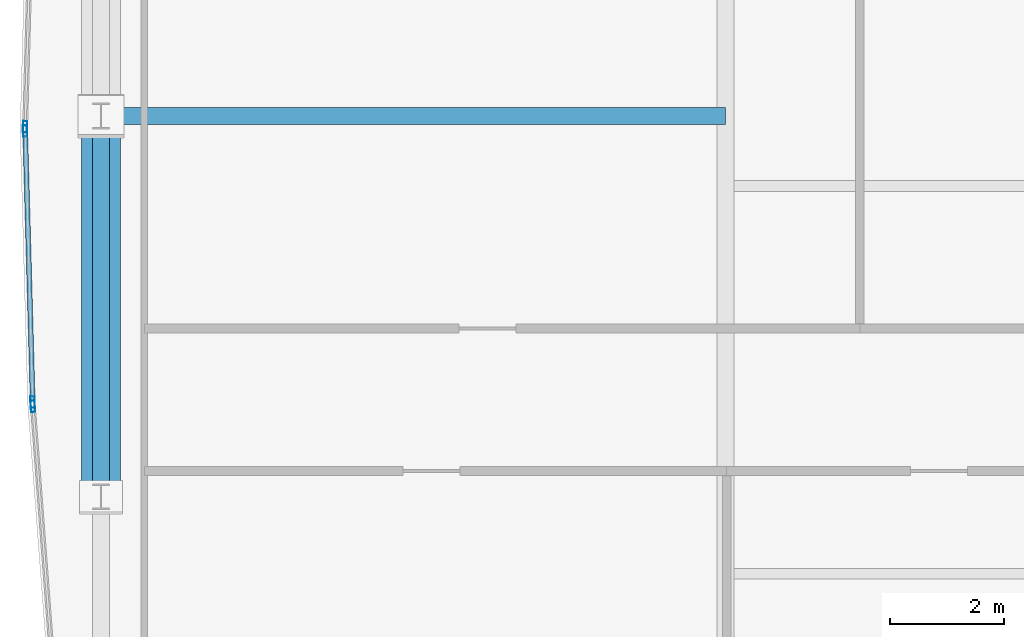
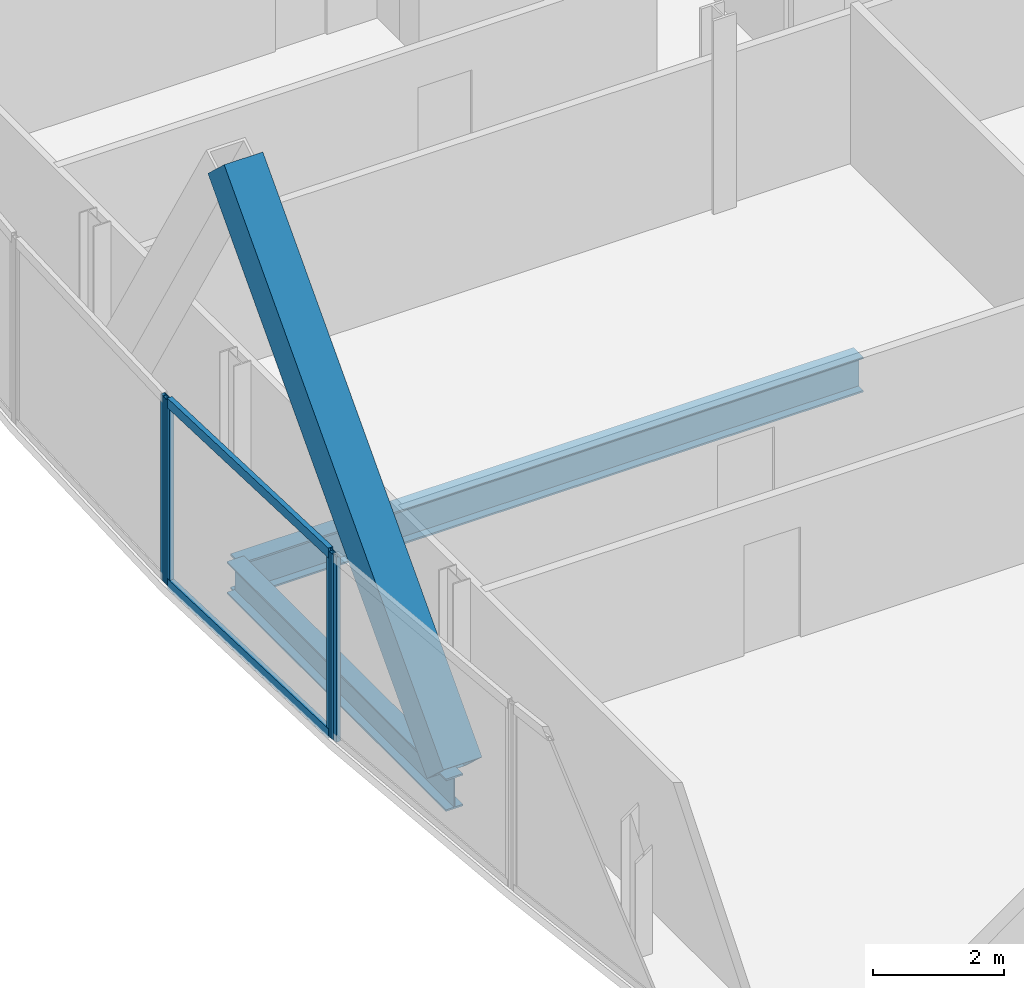
# One storey, part 10 of 32: 7 members, 2 beams, 3 elements without a shape of their own.
"""IFC4 building model written with IfcOpenShell, lengths in metres."""

import ifcopenshell
import ifcopenshell.guid

model = None  # the IFC model being written
_history = None  # IfcOwnerHistory: only IFC2X3 demands one
_inside = {}  # id of a spatial element -> (the spatial element, [elements in it])
_under = {}  # id of a project, library or spatial element -> (it, [spatial elements below it])
_declared = {}  # id of a project -> (the project, [libraries it declares])
_typed = {}  # id of a type object -> (the type object, [elements of that type])
_made_of = {}  # id of a material, layer set ... -> (it, [elements and type objects made of it])


def new_model(schema):
    """Start an empty IFC model of exactly this schema.

    Asked for "IFC4X3", IfcOpenShell would pick the latest addendum, in which some entities
    have other attributes; the version numbers below select the first issue.
    IFC2X3 requires an IfcOwnerHistory on every rooted entity: one is made here for all.
    """
    global model, _history
    if schema == "IFC4X3":
        model = ifcopenshell.file(schema_version=(4, 3, 0, 0))
    else:
        model = ifcopenshell.file(schema=schema)
    _inside.clear()
    _under.clear()
    _declared.clear()
    _typed.clear()
    _made_of.clear()
    _history = None
    if model.schema == "IFC2X3":
        org = make("IfcOrganization", Name="unknown")
        user = make(
            "IfcPersonAndOrganization",
            ThePerson=make("IfcPerson", FamilyName="unknown"),
            TheOrganization=org,
        )
        app = make(
            "IfcApplication",
            ApplicationDeveloper=org,
            Version="unknown",
            ApplicationFullName="unknown",
            ApplicationIdentifier="unknown",
        )
        _history = make(
            "IfcOwnerHistory",
            OwningUser=user,
            OwningApplication=app,
            ChangeAction="ADDED",
            CreationDate=0,
        )
    return model


def make(cls, **values):
    """One entity of the class cls with the attributes given. An attribute that is None is left unset."""
    return model.create_entity(
        cls, **{name: value for name, value in values.items() if value is not None}
    )


def rooted(cls, **values):
    """An entity with a GlobalId (a new one), such as an element, a storey or a relation."""
    return make(cls, GlobalId=ifcopenshell.guid.new(), OwnerHistory=_history, **values)


def si_unit(unit_type, name, prefix=None):
    """IfcSIUnit, for example si_unit("LENGTHUNIT", "METRE", prefix="MILLI")."""
    return make("IfcSIUnit", UnitType=unit_type, Prefix=prefix, Name=name)


def assignment(units):
    """IfcUnitAssignment: the units of a project."""
    return None if units is None else make("IfcUnitAssignment", Units=units)


def point(xyz):
    """IfcCartesianPoint."""
    return None if xyz is None else make("IfcCartesianPoint", Coordinates=xyz)


def direction(xyz):
    """IfcDirection."""
    return None if xyz is None else make("IfcDirection", DirectionRatios=xyz)


def frame(location, z_axis=None, x_axis=None):
    """IfcAxis2Placement3D, a coordinate frame: its origin and axes. An axis left out is left unset."""
    return make(
        "IfcAxis2Placement3D",
        Location=point(location),
        Axis=direction(z_axis),
        RefDirection=direction(x_axis),
    )


def frame_2d(location, x_axis=None):
    """IfcAxis2Placement2D, a coordinate frame in the plane: its origin and x axis."""
    return make(
        "IfcAxis2Placement2D", Location=point(location), RefDirection=direction(x_axis)
    )


def origin():
    """The frame at (0, 0, 0) with its axes left unset."""
    return frame((0.0, 0.0, 0.0))


def origin_2d():
    """The frame at (0, 0) in the plane with its x axis left unset."""
    return frame_2d((0.0, 0.0))


def place(relative_to, where):
    """IfcLocalPlacement: puts the frame where relative to a parent placement (None: the world)."""
    return make(
        "IfcLocalPlacement", PlacementRelTo=relative_to, RelativePlacement=where
    )


def context(
    kind, dimensions, precision=None, world=None, true_north=None, identifier=None
):
    """IfcGeometricRepresentationContext, for example the 3D "Model" context."""
    return make(
        "IfcGeometricRepresentationContext",
        ContextIdentifier=identifier,
        ContextType=kind,
        CoordinateSpaceDimension=dimensions,
        Precision=precision,
        WorldCoordinateSystem=world,
        TrueNorth=true_north,
    )


def subcontext(parent, identifier, kind, view, scale=None):
    """IfcGeometricRepresentationSubContext, for example "Body" below "Model"."""
    return make(
        "IfcGeometricRepresentationSubContext",
        ContextIdentifier=identifier,
        ContextType=kind,
        ParentContext=parent,
        TargetScale=scale,
        TargetView=view,
    )


def project(units=None, contexts=None):
    """IfcProject with its units and contexts."""
    return rooted(
        "IfcProject",
        Name="project",
        RepresentationContexts=contexts,
        UnitsInContext=assignment(units),
    )


def spatial(cls, under=None, at=None, **own):
    """A site, building, storey or space (cls), placed at a placement, below another one or the project."""
    s = rooted(cls, ObjectPlacement=at, **own)
    if under is not None:
        _under.setdefault(under.id(), (under, []))[1].append(s)
    return s


def profile(cls, at=None, kind="AREA", **sizes):
    """A parametric profile (cls). Its sizes go by their IFC names, for example OverallWidth=200.0."""
    return make(cls, ProfileType=kind, Position=at, **sizes)


def hollow_rectangle(**sizes):
    """IfcRectangleHollowProfileDef."""
    return profile("IfcRectangleHollowProfileDef", **sizes)


def i_section(**sizes):
    """IfcIShapeProfileDef."""
    return profile("IfcIShapeProfileDef", **sizes)


def extrude(swept, where, along, depth):
    """IfcExtrudedAreaSolid: the profile swept, set in the frame where, extruded along a direction by depth."""
    return make(
        "IfcExtrudedAreaSolid",
        SweptArea=swept,
        Position=where,
        ExtrudedDirection=direction(along),
        Depth=depth,
    )


def shape(context_of_items, identifier, shape_type, items):
    """IfcShapeRepresentation: the items that make up one representation, for example the "Body"."""
    return make(
        "IfcShapeRepresentation",
        ContextOfItems=context_of_items,
        RepresentationIdentifier=identifier,
        RepresentationType=shape_type,
        Items=items,
    )


def material(Name=None, Category=None):
    """IfcMaterial."""
    return make("IfcMaterial", Name=Name, Category=Category)


def material_profile(
    of_material, cross_section, Name=None, Category=None, Priority=None
):
    """IfcMaterialProfile: a cross section and its material."""
    return make(
        "IfcMaterialProfile",
        Name=Name,
        Material=of_material,
        Profile=cross_section,
        Priority=Priority,
        Category=Category,
    )


def profile_set(profiles, Name=None, composite=None):
    """IfcMaterialProfileSet."""
    return make(
        "IfcMaterialProfileSet",
        Name=Name,
        MaterialProfiles=profiles,
        CompositeProfile=composite,
    )


def made_of(thing, what):
    """Note that an element or type object is made of a material, layer set ...; save() writes the relation."""
    if what is not None:
        _made_of.setdefault(what.id(), (what, []))[1].append(thing)
    return thing


def type_object(cls, material=None, **own):
    """A type object (cls), such as IfcWallType, which elements share."""
    return made_of(rooted(cls, **own), material)


def element(
    cls,
    number,
    at=None,
    inside=None,
    cuts=None,
    type_object=None,
    material=None,
    context=None,
    identifier="Body",
    shape_type=None,
    held_by="IfcProductDefinitionShape",
    body=None,
    shapes=None,
    **own,
):
    """One element of the class cls, such as IfcWall. Its Tag is "e" and its number.

    at: its placement. inside: the storey or other place that contains it. cuts: it is an
    opening in that element (IfcRelVoidsElement). A single representation is given by context,
    identifier, shape_type and body (its items); several are given by shapes. held_by: the class
    of the entity that holds the representations. save() writes the other relations.
    """
    e = rooted(cls, Tag="e%d" % number, ObjectPlacement=at, **own)
    if body is not None:
        shapes = [shape(context, identifier, shape_type, body)]
    if shapes is not None:
        e.Representation = make(held_by, Representations=shapes)
    if inside is not None:
        _inside.setdefault(inside.id(), (inside, []))[1].append(e)
    if cuts is not None:
        rooted(
            "IfcRelVoidsElement", RelatingBuildingElement=cuts, RelatedOpeningElement=e
        )
    if type_object is not None:
        _typed.setdefault(type_object.id(), (type_object, []))[1].append(e)
    return made_of(e, material)


def aggregate(whole, parts):
    """IfcRelAggregates: a whole, such as a stair, and the parts it consists of."""
    return rooted("IfcRelAggregates", RelatingObject=whole, RelatedObjects=parts)


def save(model, path):
    """Write the relations noted so far, then the file.

    IfcRelAggregates (storeys below a building ...), IfcRelContainedInSpatialStructure (elements
    in a storey), IfcRelDefinesByType, IfcRelAssociatesMaterial and IfcRelDeclares: one each for
    every whole, place, type object, material and project.
    """
    for whole, parts in _under.values():
        aggregate(whole, parts)
    for where, things in _inside.values():
        rooted(
            "IfcRelContainedInSpatialStructure",
            RelatedElements=things,
            RelatingStructure=where,
        )
    for kind, things in _typed.values():
        rooted("IfcRelDefinesByType", RelatedObjects=things, RelatingType=kind)
    for what, things in _made_of.values():
        rooted("IfcRelAssociatesMaterial", RelatedObjects=things, RelatingMaterial=what)
    for by, libraries in _declared.values():
        rooted("IfcRelDeclares", RelatingContext=by, RelatedDefinitions=libraries)
    model.write(path)


model = new_model("IFC4")

# Units and contexts
model_context = context("Model", 3, precision=1e-05, world=origin(), true_north=direction((0.0, 1.0)))
body_context = subcontext(model_context, "Body", "Model", "MODEL_VIEW")
ifc_project = project(units=[si_unit("LENGTHUNIT", "METRE"), si_unit("AREAUNIT", "SQUARE_METRE"), si_unit("VOLUMEUNIT", "CUBIC_METRE"), si_unit("PLANEANGLEUNIT", "RADIAN"), si_unit("MASSUNIT", "GRAM", prefix="KILO")], contexts=[model_context])

# Site, building, storey
site_placement = place(None, origin())
site = spatial("IfcSite", under=ifc_project, at=site_placement, CompositionType="ELEMENT")
building_placement = place(site_placement, origin())
building = spatial("IfcBuilding", under=site, at=building_placement, Name="Khoronbel Lancet Exchange", CompositionType="ELEMENT")
storey_placement = place(building_placement, frame((0.0, 0.0, 231.800048828125)))
storey = spatial("IfcBuildingStorey", under=building, at=storey_placement, Name="L59", CompositionType="ELEMENT", Elevation=231.800048828125)

# Beams
ifc_material_1 = material(Name="Steel S355", Category="steel")
ifc_material_profile_1 = material_profile(ifc_material_1, i_section(OverallWidth=0.300048828125, OverallDepth=0.64990234375, WebThickness=0.01611328125, FlangeThickness=0.031005859375, at=origin_2d()), Name="HEB 650")
ifc_profile_set_1 = profile_set([ifc_material_profile_1], Name="Steel S355")
beam_type_1 = type_object("IfcBeamType", Name="BM-BG4", PredefinedType="BEAM", material=ifc_profile_set_1)
beam_1_placement = place(storey_placement, frame((7.27001953125, 31.425048828125, -0.485107421875), z_axis=(1.0, 0.0, 0.0), x_axis=(0.0, 1.0, 0.0)))
element("IfcBeam", 1, at=beam_1_placement, inside=storey, type_object=beam_type_1, Name="Level L59 west lens tie girder LG2W", PredefinedType="BEAM", context=body_context, shape_type="SweptSolid", body=[
    extrude(i_section(OverallWidth=0.300048828125, OverallDepth=0.64990234375, WebThickness=0.01611328125, FlangeThickness=0.031005859375, at=origin_2d()), origin(), (0.0, 0.0, 1.0), 10.955078125),
])
ifc_material_profile_2 = material_profile(ifc_material_1, i_section(OverallWidth=0.300048828125, OverallDepth=0.60009765625, WebThickness=0.015380859375, FlangeThickness=0.030029296875, at=origin_2d()), Name="HEB 600")
ifc_profile_set_2 = profile_set([ifc_material_profile_2], Name="Steel S355")
beam_type_2 = type_object("IfcBeamType", Name="BM-BSP2", PredefinedType="SPANDREL", material=ifc_profile_set_2)
beam_2_placement = place(storey_placement, frame((7.27001953125, 31.425048828125, -0.4599609375), z_axis=(0.0, -1.0, 0.0), x_axis=(1.0, 0.0, 0.0)))
element("IfcBeam", 2, at=beam_2_placement, inside=storey, type_object=beam_type_2, Name="Level L59 perimeter spandrel beam SP19", PredefinedType="SPANDREL", context=body_context, shape_type="SweptSolid", body=[
    extrude(i_section(OverallWidth=0.300048828125, OverallDepth=0.60009765625, WebThickness=0.015380859375, FlangeThickness=0.030029296875, at=origin_2d()), origin(), (0.0, 0.0, 1.0), 6.675048828125),
])

# Curtain wall, member
ifc_material_2 = material(Name="Low-E Solar Control Insulating Glass", Category="glass")
curtain_wall_type = type_object("IfcCurtainWallType", Name="CW-4", PredefinedType="NOTDEFINED", material=ifc_material_2)
curtain_wall_1_placement = place(storey_placement, origin())
curtain_wall_1 = element("IfcCurtainWall", 3, at=curtain_wall_1_placement, inside=storey, type_object=curtain_wall_type, Name="Unitised curtain wall CW-L59-E05", PredefinedType="NOTDEFINED")
ifc_material_3 = material(Name="Bronze-Anodised Aluminium 6063-T6", Category="aluminium")
ifc_material_profile_3 = material_profile(ifc_material_3, hollow_rectangle(XDim=0.074951171875, YDim=0.199951171875, WallThickness=0.0048828125, at=origin_2d()), Name="ALU MULLION 75x200")
ifc_profile_set_3 = profile_set([ifc_material_profile_3], Name="Bronze-Anodised Aluminium 6063-T6")
member_type_1 = type_object("IfcMemberType", Name="MEM-CWM2", PredefinedType="MULLION", material=ifc_profile_set_3)
member_1_placement = place(storey_placement, frame((6.07666015625, 26.333984375, 0.0), z_axis=(0.0, 0.0, 1.0), x_axis=(-0.997145938632, -0.075498192491, 0.0)))
member_1 = element("IfcMember", 4, at=member_1_placement, type_object=member_type_1, Name="CW4 mullion 2", PredefinedType="MULLION", context=body_context, shape_type="SweptSolid", body=[
    extrude(hollow_rectangle(XDim=0.074951171875, YDim=0.199951171875, WallThickness=0.0048828125, at=origin_2d()), origin(), (0.0, 0.0, 1.0), 3.43994140625),
])
aggregate(curtain_wall_1, [member_1])

# Curtain wall, members
curtain_wall_2_placement = place(storey_placement, origin())
curtain_wall_2 = element("IfcCurtainWall", 5, at=curtain_wall_2_placement, inside=storey, type_object=curtain_wall_type, Name="Unitised curtain wall CW-L59-E06", PredefinedType="NOTDEFINED")
member_2_placement = place(storey_placement, frame((6.07275390625, 26.40869140625, 0.0), z_axis=(0.0, 0.0, 1.0), x_axis=(-0.999615744286, -0.027719375438, 0.0)))
member_2 = element("IfcMember", 6, at=member_2_placement, type_object=member_type_1, Name="CW4 mullion 1", PredefinedType="MULLION", context=body_context, shape_type="SweptSolid", body=[
    extrude(hollow_rectangle(XDim=0.074951171875, YDim=0.199951171875, WallThickness=0.0048828125, at=origin_2d()), origin(), (0.0, 0.0, 1.0), 3.43994140625),
])
member_3_placement = place(storey_placement, frame((5.94091796875, 31.16259765625, 0.0), z_axis=(0.0, 0.0, 1.0), x_axis=(-0.999615744286, -0.027719375438, 0.0)))
member_3 = element("IfcMember", 7, at=member_3_placement, type_object=member_type_1, Name="CW4 mullion 2", PredefinedType="MULLION", context=body_context, shape_type="SweptSolid", body=[
    extrude(hollow_rectangle(XDim=0.074951171875, YDim=0.199951171875, WallThickness=0.0048828125, at=origin_2d()), origin(), (0.0, 0.0, 1.0), 3.43994140625),
])

# Curtain wall, member
curtain_wall_3_placement = place(storey_placement, origin())
curtain_wall_3 = element("IfcCurtainWall", 8, at=curtain_wall_3_placement, inside=storey, type_object=curtain_wall_type, Name="Unitised curtain wall CW-L59-E07", PredefinedType="NOTDEFINED")
member_4_placement = place(storey_placement, frame((5.94091796875, 31.237548828125, 0.0), z_axis=(0.0, 0.0, 1.0), x_axis=(-0.999615744286, 0.027719375438, 0.0)))
member_4 = element("IfcMember", 9, at=member_4_placement, type_object=member_type_1, Name="CW4 mullion 1", PredefinedType="MULLION", context=body_context, shape_type="SweptSolid", body=[
    extrude(hollow_rectangle(XDim=0.074951171875, YDim=0.199951171875, WallThickness=0.0048828125, at=origin_2d()), origin(), (0.0, 0.0, 1.0), 3.43994140625),
])
aggregate(curtain_wall_3, [member_4])

# Member
ifc_material_profile_4 = material_profile(ifc_material_3, hollow_rectangle(XDim=0.0849609375, YDim=0.179931640625, WallThickness=0.0048828125, at=origin_2d()), Name="ALU TRANSOM 85x180")
ifc_profile_set_4 = profile_set([ifc_material_profile_4], Name="Bronze-Anodised Aluminium 6063-T6")
member_type_2 = type_object("IfcMemberType", Name="MEM-CWT1", PredefinedType="USERDEFINED", material=ifc_profile_set_4)
member_5_placement = place(storey_placement, frame((6.07177734375, 26.4462890625, 0.04248046875), z_axis=(-0.027697572591, 0.999616348642, 0.0), x_axis=(-0.999616348642, -0.027697572591, 0.0)))
member_5 = element("IfcMember", 10, at=member_5_placement, type_object=member_type_2, Name="CW4 transom 1.1", ObjectType="TRANSOM", PredefinedType="USERDEFINED", context=body_context, shape_type="SweptSolid", body=[
    extrude(hollow_rectangle(XDim=0.0849609375, YDim=0.179931640625, WallThickness=0.0048828125, at=origin_2d()), origin(), (0.0, 0.0, 1.0), 4.680419921875),
])

member_6_placement = place(storey_placement, frame((6.07177734375, 26.4462890625, 3.3974609375), z_axis=(-0.027697572591, 0.999616348642, 0.0), x_axis=(-0.999616348642, -0.027697572591, 0.0)))
member_6 = element("IfcMember", 11, at=member_6_placement, type_object=member_type_2, Name="CW4 transom 1.2", ObjectType="TRANSOM", PredefinedType="USERDEFINED", context=body_context, shape_type="SweptSolid", body=[
    extrude(hollow_rectangle(XDim=0.0849609375, YDim=0.179931640625, WallThickness=0.0048828125, at=origin_2d()), origin(), (0.0, 0.0, 1.0), 4.680419921875),
])

aggregate(curtain_wall_2, [member_2, member_3, member_5, member_6])

ifc_material_4 = material(Name="Steel S460", Category="steel")
ifc_material_profile_5 = material_profile(ifc_material_4, hollow_rectangle(XDim=0.679931640625, YDim=0.679931640625, WallThickness=0.044921875, at=origin_2d()), Name="BOX 680x680x45")
ifc_profile_set_5 = profile_set([ifc_material_profile_5], Name="Steel S460")
member_type_3 = type_object("IfcMemberType", Name="MEM-MB3", PredefinedType="BRACE", material=ifc_profile_set_5)
member_7_placement = place(storey_placement, frame((7.27001953125, 24.75, 0.0), z_axis=(0.0, 0.679870035637, 0.733332622105), x_axis=(-1.0, 0.0, 0.0)))
element("IfcMember", 12, at=member_7_placement, inside=storey, type_object=member_type_3, Name="Perimeter lancet brace tier 20 W-P-L", PredefinedType="BRACE", context=body_context, shape_type="SweptSolid", body=[
    extrude(hollow_rectangle(XDim=0.679931640625, YDim=0.679931640625, WallThickness=0.044921875, at=origin_2d()), origin(), (0.0, 0.0, 1.0), 9.818115234375),
])

save(model, "model.ifc")
